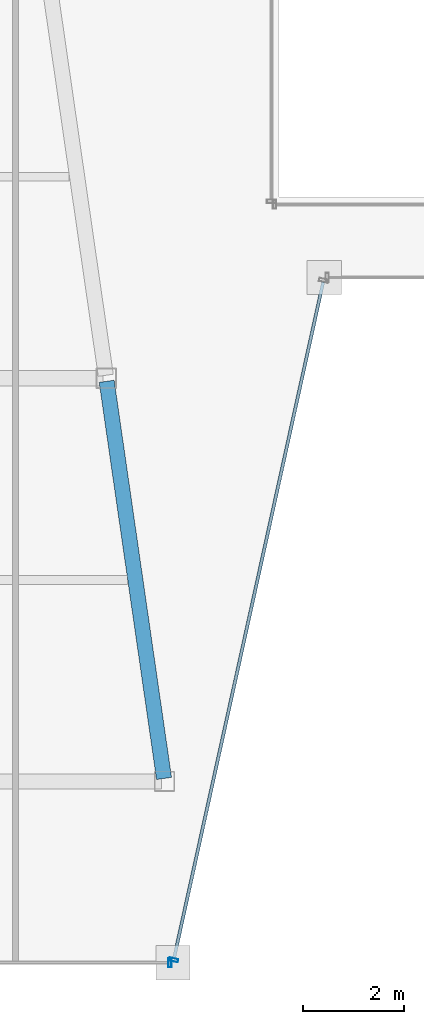
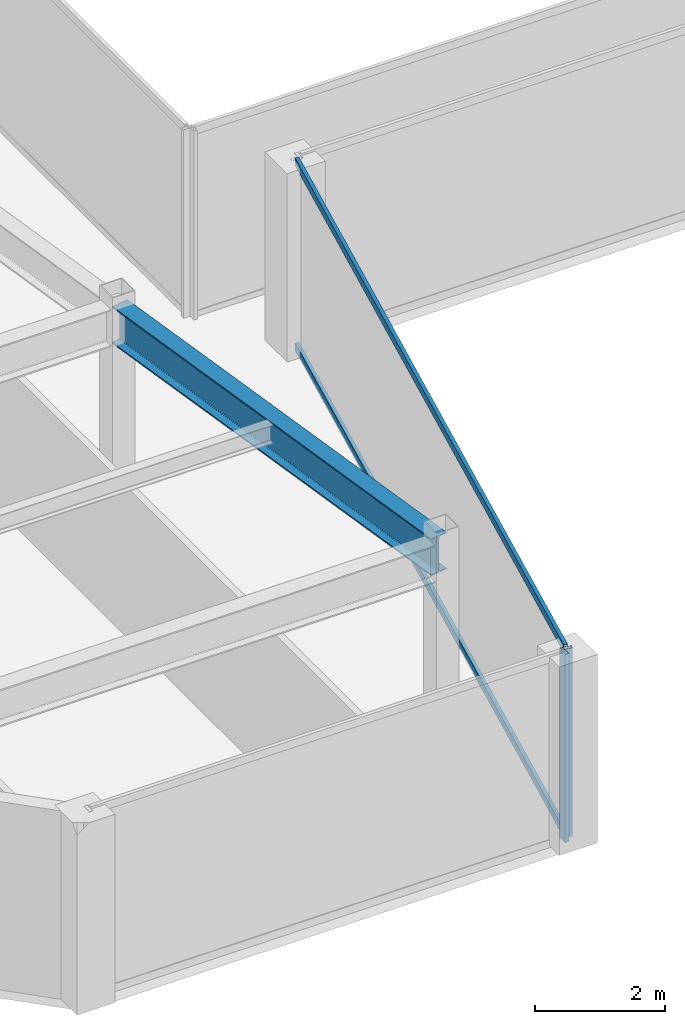
# One storey, part 6 of 36: 4 members, 1 beam, 2 elements without a shape of their own.
"""IFC4 building model written with IfcOpenShell, lengths in metres."""

from ifc_helpers import new_model, si_unit, direction, frame, origin, origin_2d, place, context, subcontext, project, spatial, hollow_rectangle, i_section, extrude, material, material_profile, profile_set, type_object, element, aggregate, save


model = new_model("IFC4")

# Units and contexts
model_context = context("Model", 3, precision=1e-05, world=origin(), true_north=direction((0.0, 1.0)))
body_context = subcontext(model_context, "Body", "Model", "MODEL_VIEW")
ifc_project = project(units=[si_unit("LENGTHUNIT", "METRE"), si_unit("AREAUNIT", "SQUARE_METRE"), si_unit("VOLUMEUNIT", "CUBIC_METRE"), si_unit("PLANEANGLEUNIT", "RADIAN"), si_unit("MASSUNIT", "GRAM", prefix="KILO")], contexts=[model_context])

# Site, building, storey
site_placement = place(None, origin())
site = spatial("IfcSite", under=ifc_project, at=site_placement, CompositionType="ELEMENT")
building_placement = place(site_placement, origin())
building = spatial("IfcBuilding", under=site, at=building_placement, Name="Saevonmaru Cultural Tower", CompositionType="ELEMENT")
storey_placement = place(building_placement, frame((0.0, 0.0, 182.800048828125)))
storey = spatial("IfcBuildingStorey", under=building, at=storey_placement, Name="L41", CompositionType="ELEMENT", Elevation=182.800048828125)

# Beam
ifc_material_1 = material(Name="Steel SM355", Category="steel")
ifc_material_profile_1 = material_profile(ifc_material_1, i_section(OverallWidth=0.300048828125, OverallDepth=0.699951171875, WebThickness=0.012939453125, FlangeThickness=0.02392578125, FilletRadius=0.02587890625, at=origin_2d()), Name="H-700x300x13x24")
ifc_profile_set_1 = profile_set([ifc_material_profile_1], Name="Steel SM355")
beam_type = type_object("IfcBeamType", Name="BM-G-H700", PredefinedType="BEAM", material=ifc_profile_set_1)
beam_placement = place(storey_placement, frame((21.91943359375, 16.059326171875, 3.199951171875), z_axis=(-0.143022161059, 0.989719486241, 0.0), x_axis=(-0.989719486241, -0.143022161059, 0.0)))
element("IfcBeam", 1, at=beam_placement, inside=storey, type_object=beam_type, Name="L41 West Atrium Girder 1", PredefinedType="BEAM", context=body_context, shape_type="SweptSolid", body=[
    extrude(i_section(OverallWidth=0.300048828125, OverallDepth=0.699951171875, WebThickness=0.012939453125, FlangeThickness=0.02392578125, FilletRadius=0.02587890625, at=origin_2d()), origin(), (0.0, 0.0, 1.0), 7.963134765625),
])

# Curtain wall, member
ifc_material_2 = material(Name="Satin Bronze Anodised Aluminium", Category="aluminium")
curtain_wall_type = type_object("IfcCurtainWallType", Name="CW-TYP-B", PredefinedType="NOTDEFINED", material=ifc_material_2)
curtain_wall_1_placement = place(storey_placement, origin())
curtain_wall_1 = element("IfcCurtainWall", 2, at=curtain_wall_1_placement, inside=storey, type_object=curtain_wall_type, Name="L41 Unitised Curtain Wall E2", PredefinedType="NOTDEFINED")
ifc_material_profile_2 = material_profile(ifc_material_2, hollow_rectangle(XDim=0.06494140625, YDim=0.179931640625, WallThickness=0.00390625, at=origin_2d()), Name="ALU-MULL-180x65x4")
ifc_profile_set_2 = profile_set([ifc_material_profile_2], Name="Satin Bronze Anodised Aluminium")
member_type_1 = type_object("IfcMemberType", Name="ML-CW-180x65", PredefinedType="MULLION", material=ifc_profile_set_2)
member_1_placement = place(storey_placement, frame((22.037841796875, 12.39990234375, 0.0), z_axis=(0.0, 0.0, 1.0), x_axis=(1.0, 0.0, 0.0)))
member_1 = element("IfcMember", 3, at=member_1_placement, type_object=member_type_1, Name="CW-TW-L41-E2 mullion 2", PredefinedType="MULLION", context=body_context, shape_type="SweptSolid", body=[
    extrude(hollow_rectangle(XDim=0.06494140625, YDim=0.179931640625, WallThickness=0.00390625, at=origin_2d()), origin(), (0.0, 0.0, 1.0), 3.550048828125),
])
aggregate(curtain_wall_1, [member_1])

# Curtain wall, members
curtain_wall_2_placement = place(storey_placement, origin())
curtain_wall_2 = element("IfcCurtainWall", 4, at=curtain_wall_2_placement, inside=storey, type_object=curtain_wall_type, Name="L41 Unitised Curtain Wall E3", PredefinedType="NOTDEFINED")
member_2_placement = place(storey_placement, frame((22.110595703125, 12.45849609375, 0.0), z_axis=(0.0, 0.0, 1.0), x_axis=(0.215413319953, 0.976522965212, 0.0)))
member_2 = element("IfcMember", 5, at=member_2_placement, type_object=member_type_1, Name="CW-TW-L41-E3 mullion 1", PredefinedType="MULLION", context=body_context, shape_type="SweptSolid", body=[
    extrude(hollow_rectangle(XDim=0.06494140625, YDim=0.179931640625, WallThickness=0.00390625, at=origin_2d()), origin(), (0.0, 0.0, 1.0), 3.550048828125),
])
ifc_material_profile_3 = material_profile(ifc_material_2, hollow_rectangle(XDim=0.06494140625, YDim=0.14990234375, WallThickness=0.00390625, at=origin_2d()), Name="ALU-TRAN-150x65x4")
ifc_profile_set_3 = profile_set([ifc_material_profile_3], Name="Satin Bronze Anodised Aluminium")
member_type_2 = type_object("IfcMemberType", Name="TR-CW-150x65", PredefinedType="USERDEFINED", material=ifc_profile_set_3)
member_3_placement = place(storey_placement, frame((22.11767578125, 12.490234375, 0.032470703125), z_axis=(0.21541214732, 0.976523223885, 0.0), x_axis=(-0.976523223885, 0.21541214732, 0.0)))
member_3 = element("IfcMember", 6, at=member_3_placement, type_object=member_type_2, Name="CW-TW-L41-E3 transom 1.1", ObjectType="TRANSOM", PredefinedType="USERDEFINED", context=body_context, shape_type="SweptSolid", body=[
    extrude(hollow_rectangle(XDim=0.06494140625, YDim=0.14990234375, WallThickness=0.00390625, at=origin_2d()), origin(), (0.0, 0.0, 1.0), 13.741943359375),
])
member_4_placement = place(storey_placement, frame((22.11767578125, 12.490234375, 3.517333984375), z_axis=(0.21541214732, 0.976523223885, 0.0), x_axis=(-0.976523223885, 0.21541214732, 0.0)))
member_4 = element("IfcMember", 7, at=member_4_placement, type_object=member_type_2, Name="CW-TW-L41-E3 transom 1.2", ObjectType="TRANSOM", PredefinedType="USERDEFINED", context=body_context, shape_type="SweptSolid", body=[
    extrude(hollow_rectangle(XDim=0.06494140625, YDim=0.14990234375, WallThickness=0.00390625, at=origin_2d()), origin(), (0.0, 0.0, 1.0), 13.741943359375),
])
aggregate(curtain_wall_2, [member_2, member_3, member_4])

save(model, "model.ifc")
